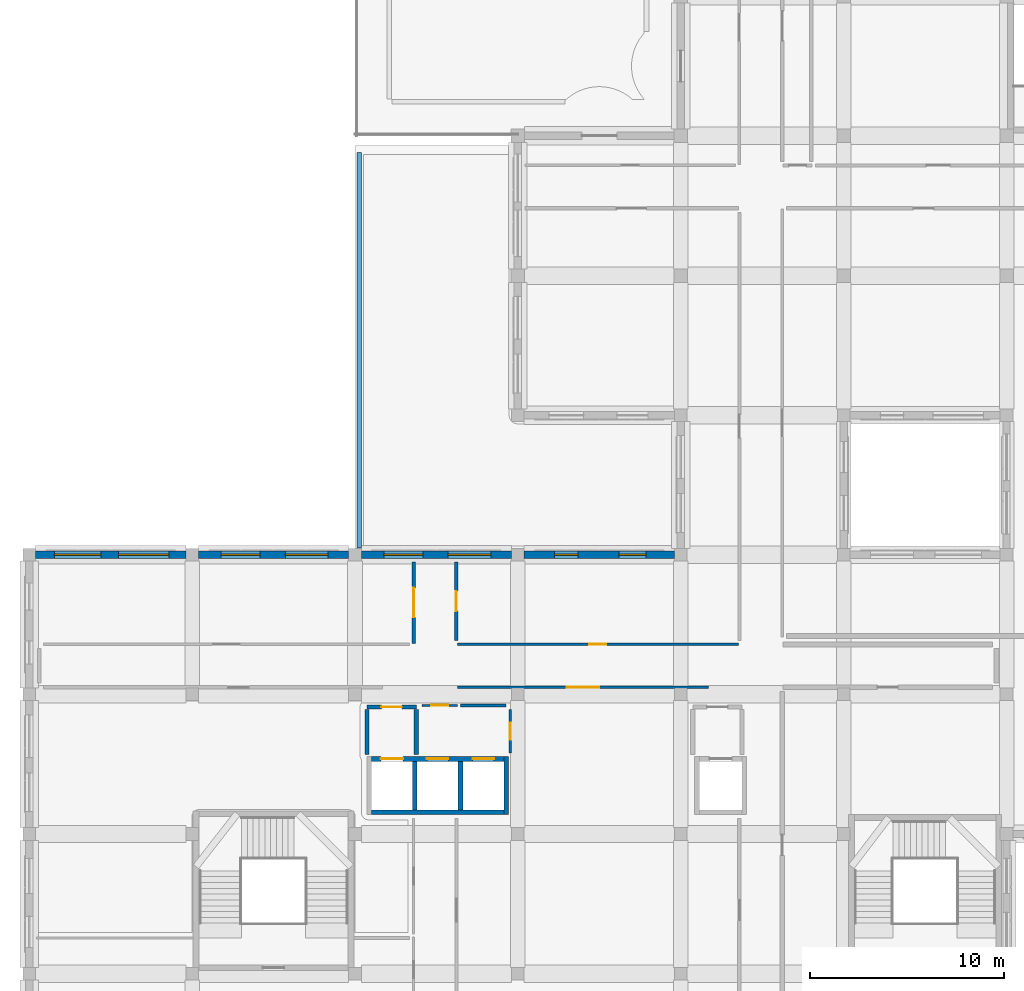
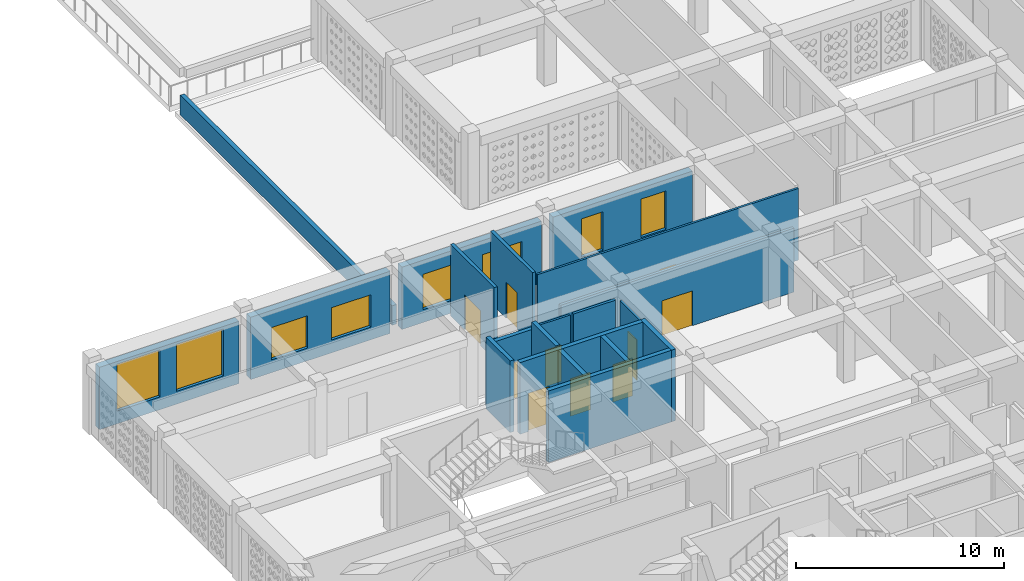
# One storey, part 8 of 47: 20 walls, 10 doors, 8 windows, 18 openings.
"""IFC4 building model written with IfcOpenShell, lengths in metres."""

from ifc_helpers import new_model, si_unit, derived_unit, direction, frame, frame_2d, origin, place, context, subcontext, project, spatial, rectangle, extrude, material, layer, layer_set, type_object, element, fill, save


model = new_model("IFC4")

# Units and contexts
model_context = context("Model", 3, precision=1e-05, world=origin(), true_north=direction((0.0, 1.0)))
body_context = subcontext(model_context, "Body", "Model", "MODEL_VIEW")
ifc_project = project(units=[si_unit("LENGTHUNIT", "METRE"), si_unit("AREAUNIT", "SQUARE_METRE"), si_unit("VOLUMEUNIT", "CUBIC_METRE"), si_unit("PLANEANGLEUNIT", "RADIAN"), si_unit("MASSUNIT", "GRAM", prefix="KILO"), derived_unit("THERMALTRANSMITTANCEUNIT", [(si_unit("POWERUNIT", "WATT"), 1), (si_unit("LENGTHUNIT", "METRE"), -2), (si_unit("THERMODYNAMICTEMPERATUREUNIT", "KELVIN"), -1)])], contexts=[model_context])

# Site, building, storey
site_placement = place(None, origin())
site = spatial("IfcSite", under=ifc_project, at=site_placement, CompositionType="ELEMENT")
building_placement = place(site_placement, origin())
building = spatial("IfcBuilding", under=site, at=building_placement, Name="Veybourne Emporium", CompositionType="ELEMENT")
storey_placement = place(building_placement, frame((0.0, 0.0, 23.39990234375)))
storey = spatial("IfcBuildingStorey", under=building, at=storey_placement, Name="L05", CompositionType="ELEMENT", Elevation=23.39990234375)

# Wall, openings, windows
ifc_material_1 = material(Name="Portland Limestone Ashlar", Category="masonry")
ifc_layer_1 = layer(ifc_material_1, 0.3798828125)
ifc_layer_set_1 = layer_set([ifc_layer_1], Name="Portland Limestone Ashlar")
wall_type_1 = type_object("IfcWallType", Name="ExtWall_EW-03", PredefinedType="SOLIDWALL", material=ifc_layer_set_1)
wall_1_placement = place(storey_placement, frame((0.324951171875, 50.39990234375, 0.0), z_axis=(0.0, 0.0, 1.0), x_axis=(1.0, 0.0, 0.0)))
wall_1 = element("IfcWall", 1, at=wall_1_placement, inside=storey, type_object=wall_type_1, Name="L05 Portland stone external wall 006", PredefinedType="SOLIDWALL", context=body_context, shape_type="SweptSolid", body=[
    extrude(rectangle(XDim=7.75, YDim=0.3798828125, at=frame_2d((3.875, 0.0))), origin(), (0.0, 0.0, 1.0), 3.66015625),
])
opening_1_placement = place(wall_1_placement, frame((0.969970703125, 0.0, 0.75)))
opening_1 = element("IfcOpeningElement", 2, at=opening_1_placement, cuts=wall_1, Name="Opening W-55", PredefinedType="OPENING", context=body_context, shape_type="SweptSolid", body=[
    extrude(rectangle(XDim=2.39990234375, YDim=2.760009765625, at=frame_2d((1.199951171875, 1.3798828125))), frame((0.0, 0.2099609375, 0.0), z_axis=(0.0, -1.0, 0.0), x_axis=(1.0, 0.0, 0.0)), (0.0, 0.0, 1.0), 0.419921875),
])
opening_2_placement = place(wall_1_placement, frame((4.280029296875, 0.0, 0.75)))
opening_2 = element("IfcOpeningElement", 3, at=opening_2_placement, cuts=wall_1, Name="Opening W-56", PredefinedType="OPENING", context=body_context, shape_type="SweptSolid", body=[
    extrude(rectangle(XDim=2.60009765625, YDim=2.760009765625, at=frame_2d((1.300048828125, 1.3798828125))), frame((0.0, 0.2099609375, 0.0), z_axis=(0.0, -1.0, 0.0), x_axis=(1.0, 0.0, 0.0)), (0.0, 0.0, 1.0), 0.419921875),
])
ifc_material_2 = material(Name="Low-E Triple Glazing", Category="glass")
window_type_1 = type_object("IfcWindowType", Name="Win_W-55", PartitioningType="TRIPLE_PANEL_VERTICAL", PredefinedType="WINDOW", material=ifc_material_2)
window_1_placement = place(opening_1_placement, origin())
window_1 = element("IfcWindow", 4, at=window_1_placement, inside=storey, type_object=window_type_1, Name="L05 tripartite bronze casement window W-55 (6.1)", OverallHeight=2.760009765625, OverallWidth=2.39990234375, PartitioningType="TRIPLE_PANEL_VERTICAL", PredefinedType="WINDOW", context=body_context, shape_type="SweptSolid", body=[
    extrude(rectangle(XDim=2.39990234375, YDim=2.760009765625, at=frame_2d((1.199951171875, 1.3798828125))), frame((0.0, 0.030029296875, 0.0), z_axis=(0.0, -1.0, 0.0), x_axis=(1.0, 0.0, 0.0)), (0.0, 0.0, 1.0), 0.06005859375),
])
fill(opening_1, window_1)
window_type_2 = type_object("IfcWindowType", Name="Win_W-56", PartitioningType="TRIPLE_PANEL_VERTICAL", PredefinedType="WINDOW", material=ifc_material_2)
window_2_placement = place(opening_2_placement, origin())
window_2 = element("IfcWindow", 5, at=window_2_placement, inside=storey, type_object=window_type_2, Name="L05 tripartite bronze casement window W-56 (6.2)", OverallHeight=2.760009765625, OverallWidth=2.60009765625, PartitioningType="TRIPLE_PANEL_VERTICAL", PredefinedType="WINDOW", context=body_context, shape_type="SweptSolid", body=[
    extrude(rectangle(XDim=2.60009765625, YDim=2.760009765625, at=frame_2d((1.300048828125, 1.3798828125))), frame((0.0, 0.030029296875, 0.0), z_axis=(0.0, -1.0, 0.0), x_axis=(1.0, 0.0, 0.0)), (0.0, 0.0, 1.0), 0.06005859375),
])
fill(opening_2, window_2)

wall_2_placement = place(storey_placement, frame((8.72509765625, 50.39990234375, 0.0), z_axis=(0.0, 0.0, 1.0), x_axis=(1.0, 0.0, 0.0)))
wall_2 = element("IfcWall", 6, at=wall_2_placement, inside=storey, type_object=wall_type_1, Name="L05 Portland stone external wall 009", PredefinedType="SOLIDWALL", context=body_context, shape_type="SweptSolid", body=[
    extrude(rectangle(XDim=7.75, YDim=0.3798828125, at=frame_2d((3.875, 0.0))), origin(), (0.0, 0.0, 1.0), 3.66015625),
])
opening_3_placement = place(wall_2_placement, frame((1.169921875, 0.0, 0.75)))
opening_3 = element("IfcOpeningElement", 7, at=opening_3_placement, cuts=wall_2, Name="Opening W-05", PredefinedType="OPENING", context=body_context, shape_type="SweptSolid", body=[
    extrude(rectangle(XDim=2.0, YDim=1.89990234375, at=frame_2d((1.0, 0.949951171875))), frame((0.0, 0.2099609375, 0.0), z_axis=(0.0, -1.0, 0.0), x_axis=(1.0, 0.0, 0.0)), (0.0, 0.0, 1.0), 0.419921875),
])
opening_4_placement = place(wall_2_placement, frame((4.47998046875, 0.0, 0.75)))
opening_4 = element("IfcOpeningElement", 8, at=opening_4_placement, cuts=wall_2, Name="Opening W-06", PredefinedType="OPENING", context=body_context, shape_type="SweptSolid", body=[
    extrude(rectangle(XDim=2.199951171875, YDim=1.89990234375, at=frame_2d((1.10009765625, 0.949951171875))), frame((0.0, 0.2099609375, 0.0), z_axis=(0.0, -1.0, 0.0), x_axis=(1.0, 0.0, 0.0)), (0.0, 0.0, 1.0), 0.419921875),
])
window_type_3 = type_object("IfcWindowType", Name="Win_W-05", PartitioningType="TRIPLE_PANEL_VERTICAL", PredefinedType="WINDOW", material=ifc_material_2)
window_3_placement = place(opening_3_placement, origin())
window_3 = element("IfcWindow", 9, at=window_3_placement, inside=storey, type_object=window_type_3, Name="L05 tripartite bronze casement window W-05 (9.1)", OverallHeight=1.89990234375, OverallWidth=2.0, PartitioningType="TRIPLE_PANEL_VERTICAL", PredefinedType="WINDOW", context=body_context, shape_type="SweptSolid", body=[
    extrude(rectangle(XDim=2.0, YDim=1.89990234375, at=frame_2d((1.0, 0.949951171875))), frame((0.0, 0.030029296875, 0.0), z_axis=(0.0, -1.0, 0.0), x_axis=(1.0, 0.0, 0.0)), (0.0, 0.0, 1.0), 0.06005859375),
])
fill(opening_3, window_3)
window_type_4 = type_object("IfcWindowType", Name="Win_W-06", PartitioningType="TRIPLE_PANEL_VERTICAL", PredefinedType="WINDOW", material=ifc_material_2)
window_4_placement = place(opening_4_placement, origin())
window_4 = element("IfcWindow", 10, at=window_4_placement, inside=storey, type_object=window_type_4, Name="L05 tripartite bronze casement window W-06 (9.2)", OverallHeight=1.89990234375, OverallWidth=2.199951171875, PartitioningType="TRIPLE_PANEL_VERTICAL", PredefinedType="WINDOW", context=body_context, shape_type="SweptSolid", body=[
    extrude(rectangle(XDim=2.199951171875, YDim=1.89990234375, at=frame_2d((1.10009765625, 0.949951171875))), frame((0.0, 0.030029296875, 0.0), z_axis=(0.0, -1.0, 0.0), x_axis=(1.0, 0.0, 0.0)), (0.0, 0.0, 1.0), 0.06005859375),
])
fill(opening_4, window_4)

wall_3_placement = place(storey_placement, frame((17.125, 50.39990234375, 0.0), z_axis=(0.0, 0.0, 1.0), x_axis=(1.0, 0.0, 0.0)))
wall_3 = element("IfcWall", 11, at=wall_3_placement, inside=storey, type_object=wall_type_1, Name="L05 Portland stone external wall 013", PredefinedType="SOLIDWALL", context=body_context, shape_type="SweptSolid", body=[
    extrude(rectangle(XDim=7.75, YDim=0.3798828125, at=frame_2d((3.875, 0.0))), origin(), (0.0, 0.0, 1.0), 3.66015625),
])
opening_5_placement = place(wall_3_placement, frame((1.169921875, 0.0, 0.75)))
opening_5 = element("IfcOpeningElement", 12, at=opening_5_placement, cuts=wall_3, Name="Opening W-13", PredefinedType="OPENING", context=body_context, shape_type="SweptSolid", body=[
    extrude(rectangle(XDim=2.0, YDim=2.080078125, at=frame_2d((1.0, 1.0400390625))), frame((0.0, 0.2099609375, 0.0), z_axis=(0.0, -1.0, 0.0), x_axis=(1.0, 0.0, 0.0)), (0.0, 0.0, 1.0), 0.419921875),
])
opening_6_placement = place(wall_3_placement, frame((4.47998046875, 0.0, 0.75)))
opening_6 = element("IfcOpeningElement", 13, at=opening_6_placement, cuts=wall_3, Name="Opening W-14", PredefinedType="OPENING", context=body_context, shape_type="SweptSolid", body=[
    extrude(rectangle(XDim=2.199951171875, YDim=2.080078125, at=frame_2d((1.10009765625, 1.0400390625))), frame((0.0, 0.2099609375, 0.0), z_axis=(0.0, -1.0, 0.0), x_axis=(1.0, 0.0, 0.0)), (0.0, 0.0, 1.0), 0.419921875),
])
window_type_5 = type_object("IfcWindowType", Name="Win_W-13", PartitioningType="TRIPLE_PANEL_VERTICAL", PredefinedType="WINDOW", material=ifc_material_2)
window_5_placement = place(opening_5_placement, origin())
window_5 = element("IfcWindow", 14, at=window_5_placement, inside=storey, type_object=window_type_5, Name="L05 tripartite bronze casement window W-13 (13.1)", OverallHeight=2.080078125, OverallWidth=2.0, PartitioningType="TRIPLE_PANEL_VERTICAL", PredefinedType="WINDOW", context=body_context, shape_type="SweptSolid", body=[
    extrude(rectangle(XDim=2.0, YDim=2.080078125, at=frame_2d((1.0, 1.0400390625))), frame((0.0, 0.030029296875, 0.0), z_axis=(0.0, -1.0, 0.0), x_axis=(1.0, 0.0, 0.0)), (0.0, 0.0, 1.0), 0.06005859375),
])
fill(opening_5, window_5)
window_type_6 = type_object("IfcWindowType", Name="Win_W-14", PartitioningType="TRIPLE_PANEL_VERTICAL", PredefinedType="WINDOW", material=ifc_material_2)
window_6_placement = place(opening_6_placement, origin())
window_6 = element("IfcWindow", 15, at=window_6_placement, inside=storey, type_object=window_type_6, Name="L05 tripartite bronze casement window W-14 (13.2)", OverallHeight=2.080078125, OverallWidth=2.199951171875, PartitioningType="TRIPLE_PANEL_VERTICAL", PredefinedType="WINDOW", context=body_context, shape_type="SweptSolid", body=[
    extrude(rectangle(XDim=2.199951171875, YDim=2.080078125, at=frame_2d((1.10009765625, 1.0400390625))), frame((0.0, 0.030029296875, 0.0), z_axis=(0.0, -1.0, 0.0), x_axis=(1.0, 0.0, 0.0)), (0.0, 0.0, 1.0), 0.06005859375),
])
fill(opening_6, window_6)

wall_4_placement = place(storey_placement, frame((25.52490234375, 50.39990234375, 0.0), z_axis=(0.0, 0.0, 1.0), x_axis=(1.0, 0.0, 0.0)))
wall_4 = element("IfcWall", 16, at=wall_4_placement, inside=storey, type_object=wall_type_1, Name="L05 Portland stone external wall 015", PredefinedType="SOLIDWALL", context=body_context, shape_type="SweptSolid", body=[
    extrude(rectangle(XDim=7.75, YDim=0.3798828125, at=frame_2d((3.875, 0.0))), origin(), (0.0, 0.0, 1.0), 3.66015625),
])
opening_7_placement = place(wall_4_placement, frame((1.570068359375, 0.0, 0.75)))
opening_7 = element("IfcOpeningElement", 17, at=opening_7_placement, cuts=wall_4, Name="Opening W-17", PredefinedType="OPENING", context=body_context, shape_type="SweptSolid", body=[
    extrude(rectangle(XDim=1.199951171875, YDim=2.260009765625, at=frame_2d((0.60009765625, 1.1298828125))), frame((0.0, 0.2099609375, 0.0), z_axis=(0.0, -1.0, 0.0), x_axis=(1.0, 0.0, 0.0)), (0.0, 0.0, 1.0), 0.419921875),
])
opening_8_placement = place(wall_4_placement, frame((4.8798828125, 0.0, 0.75)))
opening_8 = element("IfcOpeningElement", 18, at=opening_8_placement, cuts=wall_4, Name="Opening W-18", PredefinedType="OPENING", context=body_context, shape_type="SweptSolid", body=[
    extrude(rectangle(XDim=1.39990234375, YDim=2.260009765625, at=frame_2d((0.699951171875, 1.1298828125))), frame((0.0, 0.2099609375, 0.0), z_axis=(0.0, -1.0, 0.0), x_axis=(1.0, 0.0, 0.0)), (0.0, 0.0, 1.0), 0.419921875),
])
window_type_7 = type_object("IfcWindowType", Name="Win_W-17", PartitioningType="SINGLE_PANEL", PredefinedType="WINDOW", material=ifc_material_2)
window_7_placement = place(opening_7_placement, origin())
window_7 = element("IfcWindow", 19, at=window_7_placement, inside=storey, type_object=window_type_7, Name="L05 tripartite bronze casement window W-17 (15.1)", OverallHeight=2.260009765625, OverallWidth=1.199951171875, PartitioningType="SINGLE_PANEL", PredefinedType="WINDOW", context=body_context, shape_type="SweptSolid", body=[
    extrude(rectangle(XDim=1.199951171875, YDim=2.260009765625, at=frame_2d((0.60009765625, 1.1298828125))), frame((0.0, 0.030029296875, 0.0), z_axis=(0.0, -1.0, 0.0), x_axis=(1.0, 0.0, 0.0)), (0.0, 0.0, 1.0), 0.06005859375),
])
fill(opening_7, window_7)
window_type_8 = type_object("IfcWindowType", Name="Win_W-18", PartitioningType="DOUBLE_PANEL_VERTICAL", PredefinedType="WINDOW", material=ifc_material_2)
window_8_placement = place(opening_8_placement, origin())
window_8 = element("IfcWindow", 20, at=window_8_placement, inside=storey, type_object=window_type_8, Name="L05 tripartite bronze casement window W-18 (15.2)", OverallHeight=2.260009765625, OverallWidth=1.39990234375, PartitioningType="DOUBLE_PANEL_VERTICAL", PredefinedType="WINDOW", context=body_context, shape_type="SweptSolid", body=[
    extrude(rectangle(XDim=1.39990234375, YDim=2.260009765625, at=frame_2d((0.699951171875, 1.1298828125))), frame((0.0, 0.030029296875, 0.0), z_axis=(0.0, -1.0, 0.0), x_axis=(1.0, 0.0, 0.0)), (0.0, 0.0, 1.0), 0.06005859375),
])
fill(opening_8, window_8)

# Wall
ifc_material_3 = material(Name="Precast concrete C40/50", Category="concrete")
ifc_layer_2 = layer(ifc_material_3, 0.239990234375)
ifc_layer_set_2 = layer_set([ifc_layer_2], Name="Precast concrete C40/50")
wall_type_2 = type_object("IfcWallType", Name="ExtWall_PW-02", PredefinedType="PARAPET", material=ifc_layer_set_2)
wall_5_placement = place(storey_placement, frame((17.02001953125, 50.75, 0.0), z_axis=(0.0, 0.0, 1.0), x_axis=(0.0, 1.0, 0.0)))
element("IfcWall", 21, at=wall_5_placement, inside=storey, type_object=wall_type_2, Name="L05 roof parapet wall 001", PredefinedType="PARAPET", context=body_context, shape_type="SweptSolid", body=[
    extrude(rectangle(XDim=20.39990234375, YDim=0.239990234375, at=frame_2d((10.199951171875, 0.0))), origin(), (0.0, 0.0, 1.0), 1.150146484375),
])

# Wall, openings, doors
ifc_material_4 = material(Name="Concrete C40/50", Category="concrete")
ifc_layer_3 = layer(ifc_material_4, 0.239990234375)
ifc_layer_set_3 = layer_set([ifc_layer_3], Name="Concrete C40/50")
wall_type_3 = type_object("IfcWallType", Name="IntWall_CW-04", PredefinedType="SHEAR", material=ifc_layer_set_3)
wall_6_placement = place(storey_placement, frame((24.47998046875, 39.8701171875, 0.0), z_axis=(0.0, 0.0, 1.0), x_axis=(-1.0, 0.0, 0.0)))
wall_6 = element("IfcWall", 22, at=wall_6_placement, inside=storey, type_object=wall_type_3, Name="Lift core C2 north shaft wall (L05)", PredefinedType="SHEAR", context=body_context, shape_type="SweptSolid", body=[
    extrude(rectangle(XDim=6.820068359375, YDim=0.239990234375, at=frame_2d((3.41015625, 0.0))), origin(), (0.0, 0.0, 1.0), 4.210205078125),
])
opening_9_placement = place(wall_6_placement, frame((5.195068359375, 0.0, 0.0)))
opening_9 = element("IfcOpeningElement", 23, at=opening_9_placement, cuts=wall_6, Name="Opening LD-02", PredefinedType="OPENING", context=body_context, shape_type="SweptSolid", body=[
    extrude(rectangle(XDim=1.14990234375, YDim=2.25, at=frame_2d((0.574951171875, 1.125))), frame((0.0, 0.14013671875, 0.0), z_axis=(0.0, -1.0, 0.0), x_axis=(1.0, 0.0, 0.0)), (0.0, 0.0, 1.0), 0.280029296875),
])
opening_10_placement = place(wall_6_placement, frame((2.8701171875, 0.0, 0.0)))
opening_10 = element("IfcOpeningElement", 24, at=opening_10_placement, cuts=wall_6, Name="Opening LD-01", PredefinedType="OPENING", context=body_context, shape_type="SweptSolid", body=[
    extrude(rectangle(XDim=1.10009765625, YDim=2.199951171875, at=frame_2d((0.550048828125, 1.10009765625))), frame((0.0, 0.14013671875, 0.0), z_axis=(0.0, -1.0, 0.0), x_axis=(1.0, 0.0, 0.0)), (0.0, 0.0, 1.0), 0.280029296875),
])
opening_11_placement = place(wall_6_placement, frame((0.510009765625, 0.0, 0.0)))
opening_11 = element("IfcOpeningElement", 25, at=opening_11_placement, cuts=wall_6, Name="Opening LD-01", PredefinedType="OPENING", context=body_context, shape_type="SweptSolid", body=[
    extrude(rectangle(XDim=1.10009765625, YDim=2.199951171875, at=frame_2d((0.550048828125, 1.10009765625))), frame((0.0, 0.14013671875, 0.0), z_axis=(0.0, -1.0, 0.0), x_axis=(1.0, 0.0, 0.0)), (0.0, 0.0, 1.0), 0.280029296875),
])
ifc_material_5 = material(Name="Patinated Architectural Bronze", Category="bronze")
door_type_1 = type_object("IfcDoorType", Name="FireDoor_LD-01", OperationType="DOUBLE_DOOR_SLIDING", PredefinedType="DOOR", material=ifc_material_5)
door_1_placement = place(opening_10_placement, origin())
door_1 = element("IfcDoor", 26, at=door_1_placement, inside=storey, type_object=door_type_1, Name="Lift PL-03 sliding landing door (L05)", OperationType="DOUBLE_DOOR_SLIDING", OverallHeight=2.199951171875, OverallWidth=1.10009765625, PredefinedType="DOOR", context=body_context, shape_type="SweptSolid", body=[
    extrude(rectangle(XDim=1.10009765625, YDim=2.199951171875, at=frame_2d((0.550048828125, 1.10009765625))), frame((0.0, 0.02490234375, 0.0), z_axis=(0.0, -1.0, 0.0), x_axis=(1.0, 0.0, 0.0)), (0.0, 0.0, 1.0), 0.050048828125),
])
fill(opening_10, door_1)
door_2_placement = place(opening_11_placement, origin())
door_2 = element("IfcDoor", 27, at=door_2_placement, inside=storey, type_object=door_type_1, Name="Lift PL-04 sliding landing door (L05)", OperationType="DOUBLE_DOOR_SLIDING", OverallHeight=2.199951171875, OverallWidth=1.10009765625, PredefinedType="DOOR", context=body_context, shape_type="SweptSolid", body=[
    extrude(rectangle(XDim=1.10009765625, YDim=2.199951171875, at=frame_2d((0.550048828125, 1.10009765625))), frame((0.0, 0.02490234375, 0.0), z_axis=(0.0, -1.0, 0.0), x_axis=(1.0, 0.0, 0.0)), (0.0, 0.0, 1.0), 0.050048828125),
])
fill(opening_11, door_2)
door_type_2 = type_object("IfcDoorType", Name="FireDoor_LD-02", OperationType="SLIDING_TO_LEFT", PredefinedType="DOOR", material=ifc_material_5)
door_3_placement = place(opening_9_placement, origin())
door_3 = element("IfcDoor", 28, at=door_3_placement, inside=storey, type_object=door_type_2, Name="Lift FFL-02 sliding landing door (L05)", OperationType="SLIDING_TO_LEFT", OverallHeight=2.25, OverallWidth=1.14990234375, PredefinedType="DOOR", context=body_context, shape_type="SweptSolid", body=[
    extrude(rectangle(XDim=1.14990234375, YDim=2.25, at=frame_2d((0.574951171875, 1.125))), frame((0.0, 0.02490234375, 0.0), z_axis=(0.0, -1.0, 0.0), x_axis=(1.0, 0.0, 0.0)), (0.0, 0.0, 1.0), 0.050048828125),
])
fill(opening_9, door_3)

# Walls
wall_7_placement = place(storey_placement, frame((17.659912109375, 37.1298828125, 0.0), z_axis=(0.0, 0.0, 1.0), x_axis=(1.0, 0.0, 0.0)))
element("IfcWall", 29, at=wall_7_placement, inside=storey, type_object=wall_type_3, Name="Lift core C2 south shaft wall (L05)", PredefinedType="SHEAR", context=body_context, shape_type="SweptSolid", body=[
    extrude(rectangle(XDim=6.820068359375, YDim=0.239990234375, at=frame_2d((3.41015625, 0.0))), origin(), (0.0, 0.0, 1.0), 4.210205078125),
])
wall_8_placement = place(storey_placement, frame((24.60009765625, 37.010009765625, 0.0), z_axis=(0.0, 0.0, 1.0), x_axis=(0.0, 1.0, 0.0)))
element("IfcWall", 30, at=wall_8_placement, inside=storey, type_object=wall_type_3, Name="Lift core C2 east shaft wall (L05)", PredefinedType="SHEAR", context=body_context, shape_type="SweptSolid", body=[
    extrude(rectangle(XDim=2.97998046875, YDim=0.239990234375, at=frame_2d((1.489990234375, 0.0))), origin(), (0.0, 0.0, 1.0), 4.210205078125),
])
for number, where, z_axis, x_axis, name in (
    (31, (19.8798828125, 37.25, 0.0), (0.0, 0.0, 1.0), (0.0, 1.0, 0.0), "Lift core C2 divider wall 1 (L05)"),
    (32, (22.239990234375, 37.25, 0.0), (0.0, 0.0, 1.0), (0.0, 1.0, 0.0), "Lift core C2 divider wall 2 (L05)"),
):
    element("IfcWall", number, at=place(storey_placement, frame(where, z_axis=z_axis, x_axis=x_axis)), inside=storey, type_object=wall_type_3, Name=name, PredefinedType="SHEAR", context=body_context, shape_type="SweptSolid", body=[
        extrude(rectangle(XDim=2.5, YDim=0.239990234375, at=frame_2d((1.25, 0.0))), origin(), (0.0, 0.0, 1.0), 4.210205078125),
    ])

# Wall, opening, door
ifc_material_6 = material(Name="Concrete C32/40", Category="concrete")
ifc_layer_4 = layer(ifc_material_6, 0.219970703125)
ifc_layer_set_4 = layer_set([ifc_layer_4], Name="Concrete C32/40")
wall_type_4 = type_object("IfcWallType", Name="IntWall_FW-02", PredefinedType="SOLIDWALL", material=ifc_layer_set_4)
wall_9_placement = place(storey_placement, frame((17.419921875, 42.550048828125, 0.0), z_axis=(0.0, 0.0, 1.0), x_axis=(1.0, 0.0, 0.0)))
wall_9 = element("IfcWall", 33, at=wall_9_placement, inside=storey, type_object=wall_type_4, Name="Firefighting lobby C2 fire wall N (L05)", PredefinedType="SOLIDWALL", context=body_context, shape_type="SweptSolid", body=[
    extrude(rectangle(XDim=2.5400390625, YDim=0.219970703125, at=frame_2d((1.27001953125, 0.0))), origin(), (0.0, 0.0, 1.0), 3.760009765625),
])
opening_12_placement = place(wall_9_placement, frame((0.7451171875, 0.0, 0.0)))
opening_12 = element("IfcOpeningElement", 34, at=opening_12_placement, cuts=wall_9, Name="Opening FD-02", PredefinedType="OPENING", context=body_context, shape_type="SweptSolid", body=[
    extrude(rectangle(XDim=1.050048828125, YDim=2.14990234375, at=frame_2d((0.52490234375, 1.074951171875))), frame((0.0, 0.1298828125, 0.0), z_axis=(0.0, -1.0, 0.0), x_axis=(1.0, 0.0, 0.0)), (0.0, 0.0, 1.0), 0.260009765625),
])
door_type_3 = type_object("IfcDoorType", Name="FireDoor_FD-02", OperationType="NOTDEFINED", PredefinedType="DOOR", material=ifc_material_5)
door_4_placement = place(opening_12_placement, origin())
door_4 = element("IfcDoor", 35, at=door_4_placement, inside=storey, type_object=door_type_3, Name="Firefighting lobby C2 FD60S door N (L05)", OperationType="SINGLE_SWING_LEFT", OverallHeight=2.14990234375, OverallWidth=1.050048828125, PredefinedType="DOOR", context=body_context, shape_type="SweptSolid", body=[
    extrude(rectangle(XDim=1.050048828125, YDim=2.14990234375, at=frame_2d((0.52490234375, 1.074951171875))), frame((0.0, 0.02490234375, 0.0), z_axis=(0.0, -1.0, 0.0), x_axis=(1.0, 0.0, 0.0)), (0.0, 0.0, 1.0), 0.050048828125),
])
fill(opening_12, door_4)

# Walls
for number, where, z_axis, x_axis, name in (
    (36, (17.419921875, 40.110107421875, 0.0), (0.0, 0.0, 1.0), (0.0, 1.0, 0.0), "Firefighting lobby C2 fire wall W (L05)"),
    (37, (19.9599609375, 40.110107421875, 0.0), (0.0, 0.0, 1.0), (0.0, 1.0, 0.0), "Firefighting lobby C2 fire wall E (L05)"),
):
    element("IfcWall", number, at=place(storey_placement, frame(where, z_axis=z_axis, x_axis=x_axis)), inside=storey, type_object=wall_type_4, Name=name, PredefinedType="SOLIDWALL", context=body_context, shape_type="SweptSolid", body=[
        extrude(rectangle(XDim=2.31982421875, YDim=0.219970703125, at=frame_2d((1.159912109375, 0.0))), origin(), (0.0, 0.0, 1.0), 4.210205078125),
    ])

# Wall, opening, door
ifc_material_7 = material(Name="Gypsum Acoustic Board", Category="gypsum")
ifc_layer_5 = layer(ifc_material_7, 0.179931640625)
ifc_layer_set_5 = layer_set([ifc_layer_5], Name="Gypsum Acoustic Board")
wall_type_5 = type_object("IfcWallType", Name="IntWall_IW-01", PredefinedType="PARTITIONING", material=ifc_layer_set_5)
wall_10_placement = place(storey_placement, frame((19.820068359375, 45.830078125, 0.0), z_axis=(0.0, 0.0, 1.0), x_axis=(0.0, 1.0, 0.0)))
wall_10 = element("IfcWall", 38, at=wall_10_placement, inside=storey, type_object=wall_type_5, Name="L05 interior partition IW-01 #051", PredefinedType="PARTITIONING", context=body_context, shape_type="SweptSolid", body=[
    extrude(rectangle(XDim=4.199951171875, YDim=0.179931640625, at=frame_2d((2.10009765625, 0.0))), origin(), (0.0, 0.0, 1.0), 4.210205078125),
])
opening_13_placement = place(wall_10_placement, frame((1.340087890625, 0.0, 0.0)))
opening_13 = element("IfcOpeningElement", 39, at=opening_13_placement, cuts=wall_10, Name="Opening D-05", PredefinedType="OPENING", context=body_context, shape_type="SweptSolid", body=[
    extrude(rectangle(XDim=1.52001953125, YDim=2.050048828125, at=frame_2d((0.760009765625, 1.02490234375))), frame((0.0, 0.10986328125, 0.0), z_axis=(0.0, -1.0, 0.0), x_axis=(1.0, 0.0, 0.0)), (0.0, 0.0, 1.0), 0.219970703125),
])
ifc_material_8 = material(Name="European Oak Veneer and Bronze", Category="wood")
door_type_4 = type_object("IfcDoorType", Name="IntDoor_D-05", OperationType="NOTDEFINED", PredefinedType="DOOR", material=ifc_material_8)
door_5_placement = place(opening_13_placement, origin())
door_5 = element("IfcDoor", 40, at=door_5_placement, inside=storey, type_object=door_type_4, Name="L05 interior door D-05 (PART-L05-051)", OperationType="SINGLE_SWING_LEFT", OverallHeight=2.050048828125, OverallWidth=1.52001953125, PredefinedType="DOOR", context=body_context, shape_type="SweptSolid", body=[
    extrude(rectangle(XDim=1.52001953125, YDim=2.050048828125, at=frame_2d((0.760009765625, 1.02490234375))), frame((0.0, 0.02490234375, 0.0), z_axis=(0.0, -1.0, 0.0), x_axis=(1.0, 0.0, 0.0)), (0.0, 0.0, 1.0), 0.050048828125),
])
fill(opening_13, door_5)

wall_11_placement = place(storey_placement, frame((22.030029296875, 45.989990234375, 0.0), z_axis=(0.0, 0.0, 1.0), x_axis=(0.0, 1.0, 0.0)))
wall_11 = element("IfcWall", 41, at=wall_11_placement, inside=storey, type_object=wall_type_5, Name="L05 interior partition IW-01 #054", PredefinedType="PARTITIONING", context=body_context, shape_type="SweptSolid", body=[
    extrude(rectangle(XDim=4.0400390625, YDim=0.179931640625, at=frame_2d((2.02001953125, 0.0))), origin(), (0.0, 0.0, 1.0), 4.210205078125),
])
opening_14_placement = place(wall_11_placement, frame((1.5, 0.0, 0.0)))
opening_14 = element("IfcOpeningElement", 42, at=opening_14_placement, cuts=wall_11, Name="Opening D-08", PredefinedType="OPENING", context=body_context, shape_type="SweptSolid", body=[
    extrude(rectangle(XDim=1.0400390625, YDim=2.1298828125, at=frame_2d((0.52001953125, 1.06494140625))), frame((0.0, 0.10986328125, 0.0), z_axis=(0.0, -1.0, 0.0), x_axis=(1.0, 0.0, 0.0)), (0.0, 0.0, 1.0), 0.219970703125),
])
door_type_5 = type_object("IfcDoorType", Name="IntDoor_D-08", OperationType="NOTDEFINED", PredefinedType="DOOR", material=ifc_material_8)
door_6_placement = place(opening_14_placement, origin())
door_6 = element("IfcDoor", 43, at=door_6_placement, inside=storey, type_object=door_type_5, Name="L05 interior door D-08 (PART-L05-054)", OperationType="SINGLE_SWING_LEFT", OverallHeight=2.1298828125, OverallWidth=1.0400390625, PredefinedType="DOOR", context=body_context, shape_type="SweptSolid", body=[
    extrude(rectangle(XDim=1.0400390625, YDim=2.1298828125, at=frame_2d((0.52001953125, 1.06494140625))), frame((0.0, 0.02490234375, 0.0), z_axis=(0.0, -1.0, 0.0), x_axis=(1.0, 0.0, 0.0)), (0.0, 0.0, 1.0), 0.050048828125),
])
fill(opening_14, door_6)

ifc_layer_6 = layer(ifc_material_7, 0.14990234375)
ifc_layer_set_6 = layer_set([ifc_layer_6], Name="Gypsum Acoustic Board")
wall_type_6 = type_object("IfcWallType", Name="IntWall_IW-02", PredefinedType="PARTITIONING", material=ifc_layer_set_6)
wall_12_placement = place(storey_placement, frame((22.080078125, 43.570068359375, 0.0), z_axis=(0.0, 0.0, 1.0), x_axis=(1.0, 0.0, 0.0)))
wall_12 = element("IfcWall", 44, at=wall_12_placement, inside=storey, type_object=wall_type_6, Name="L05 interior partition IW-02 #016", PredefinedType="PARTITIONING", context=body_context, shape_type="SweptSolid", body=[
    extrude(rectangle(XDim=12.9501953125, YDim=0.14990234375, at=frame_2d((6.47509765625, 0.0))), origin(), (0.0, 0.0, 1.0), 3.760009765625),
])
opening_15_placement = place(wall_12_placement, frame((5.635009765625, 0.0, 0.0)))
opening_15 = element("IfcOpeningElement", 45, at=opening_15_placement, cuts=wall_12, Name="Opening D-06", PredefinedType="OPENING", context=body_context, shape_type="SweptSolid", body=[
    extrude(rectangle(XDim=1.679931640625, YDim=2.050048828125, at=frame_2d((0.83984375, 1.02490234375))), frame((0.0, 0.094970703125, 0.0), z_axis=(0.0, -1.0, 0.0), x_axis=(1.0, 0.0, 0.0)), (0.0, 0.0, 1.0), 0.18994140625),
])
door_type_6 = type_object("IfcDoorType", Name="IntDoor_D-06", OperationType="DOUBLE_DOOR_SINGLE_SWING", PredefinedType="DOOR", material=ifc_material_8)
door_7_placement = place(opening_15_placement, origin())
door_7 = element("IfcDoor", 46, at=door_7_placement, inside=storey, type_object=door_type_6, Name="L05 interior door D-06 (PART-L05-016)", OperationType="DOUBLE_DOOR_SINGLE_SWING", OverallHeight=2.050048828125, OverallWidth=1.679931640625, PredefinedType="DOOR", context=body_context, shape_type="SweptSolid", body=[
    extrude(rectangle(XDim=1.679931640625, YDim=2.050048828125, at=frame_2d((0.83984375, 1.02490234375))), frame((0.0, 0.02490234375, 0.0), z_axis=(0.0, -1.0, 0.0), x_axis=(1.0, 0.0, 0.0)), (0.0, 0.0, 1.0), 0.050048828125),
])
fill(opening_15, door_7)

# Wall
wall_13_placement = place(storey_placement, frame((22.239990234375, 42.6298828125, 0.0), z_axis=(0.0, 0.0, 1.0), x_axis=(1.0, 0.0, 0.0)))
element("IfcWall", 47, at=wall_13_placement, inside=storey, type_object=wall_type_6, Name="L05 interior partition IW-02 #070", PredefinedType="PARTITIONING", context=body_context, shape_type="SweptSolid", body=[
    extrude(rectangle(XDim=2.35009765625, YDim=0.14990234375, at=frame_2d((1.175048828125, 0.0))), origin(), (0.0, 0.0, 1.0), 3.760009765625),
])

# Wall, opening, door
ifc_layer_7 = layer(ifc_material_7, 0.1201171875)
ifc_layer_set_7 = layer_set([ifc_layer_7], Name="Gypsum Acoustic Board")
wall_type_7 = type_object("IfcWallType", Name="IntWall_IW-03", PredefinedType="PARTITIONING", material=ifc_layer_set_7)
wall_14_placement = place(storey_placement, frame((22.080078125, 45.780029296875, 0.0), z_axis=(0.0, 0.0, 1.0), x_axis=(1.0, 0.0, 0.0)))
wall_14 = element("IfcWall", 48, at=wall_14_placement, inside=storey, type_object=wall_type_7, Name="L05 interior partition IW-03 #017", PredefinedType="PARTITIONING", context=body_context, shape_type="SweptSolid", body=[
    extrude(rectangle(XDim=14.489990234375, YDim=0.1201171875, at=frame_2d((7.2451171875, 0.0))), origin(), (0.0, 0.0, 1.0), 4.210205078125),
])
opening_16_placement = place(wall_14_placement, frame((6.804931640625, 0.0, 0.0)))
opening_16 = element("IfcOpeningElement", 49, at=opening_16_placement, cuts=wall_14, Name="Opening D-07", PredefinedType="OPENING", context=body_context, shape_type="SweptSolid", body=[
    extrude(rectangle(XDim=0.8798828125, YDim=2.1298828125, at=frame_2d((0.43994140625, 1.06494140625))), frame((0.0, 0.080078125, 0.0), z_axis=(0.0, -1.0, 0.0), x_axis=(1.0, 0.0, 0.0)), (0.0, 0.0, 1.0), 0.16015625),
])
door_type_7 = type_object("IfcDoorType", Name="IntDoor_D-07", OperationType="NOTDEFINED", PredefinedType="DOOR", material=ifc_material_8)
door_8_placement = place(opening_16_placement, origin())
door_8 = element("IfcDoor", 50, at=door_8_placement, inside=storey, type_object=door_type_7, Name="L05 interior door D-07 (PART-L05-017)", OperationType="SINGLE_SWING_RIGHT", OverallHeight=2.1298828125, OverallWidth=0.8798828125, PredefinedType="DOOR", context=body_context, shape_type="SweptSolid", body=[
    extrude(rectangle(XDim=0.8798828125, YDim=2.1298828125, at=frame_2d((0.43994140625, 1.06494140625))), frame((0.0, 0.02490234375, 0.0), z_axis=(0.0, -1.0, 0.0), x_axis=(1.0, 0.0, 0.0)), (0.0, 0.0, 1.0), 0.050048828125),
])
fill(opening_16, door_8)

wall_15_placement = place(storey_placement, frame((24.800048828125, 40.177978515625, 0.0), z_axis=(0.0, 0.0, 1.0), x_axis=(0.0, 1.0, 0.0)))
wall_15 = element("IfcWall", 51, at=wall_15_placement, inside=storey, type_object=wall_type_7, Name="L05 interior partition IW-03 #071", PredefinedType="PARTITIONING", context=body_context, shape_type="SweptSolid", body=[
    extrude(rectangle(XDim=2.241943359375, YDim=0.1201171875, at=frame_2d((1.12109375, 0.0))), origin(), (0.0, 0.0, 1.0), 3.760009765625),
])
opening_17_placement = place(wall_15_placement, frame((0.680908203125, 0.0, 0.0)))
opening_17 = element("IfcOpeningElement", 52, at=opening_17_placement, cuts=wall_15, Name="Opening D-25", PredefinedType="OPENING", context=body_context, shape_type="SweptSolid", body=[
    extrude(rectangle(XDim=0.8798828125, YDim=2.3701171875, at=frame_2d((0.43994140625, 1.18505859375))), frame((0.0, 0.080078125, 0.0), z_axis=(0.0, -1.0, 0.0), x_axis=(1.0, 0.0, 0.0)), (0.0, 0.0, 1.0), 0.16015625),
])
door_type_8 = type_object("IfcDoorType", Name="IntDoor_D-25", OperationType="NOTDEFINED", PredefinedType="DOOR", material=ifc_material_8)
door_9_placement = place(opening_17_placement, origin())
door_9 = element("IfcDoor", 53, at=door_9_placement, inside=storey, type_object=door_type_8, Name="L05 interior door D-25 (PART-L05-071)", OperationType="SINGLE_SWING_RIGHT", OverallHeight=2.3701171875, OverallWidth=0.8798828125, PredefinedType="DOOR", context=body_context, shape_type="SweptSolid", body=[
    extrude(rectangle(XDim=0.8798828125, YDim=2.3701171875, at=frame_2d((0.43994140625, 1.18505859375))), frame((0.0, 0.02490234375, 0.0), z_axis=(0.0, -1.0, 0.0), x_axis=(1.0, 0.0, 0.0)), (0.0, 0.0, 1.0), 0.050048828125),
])
fill(opening_17, door_9)

wall_16_placement = place(storey_placement, frame((20.25, 42.6298828125, 0.0), z_axis=(0.0, 0.0, 1.0), x_axis=(1.0, 0.0, 0.0)))
wall_16 = element("IfcWall", 54, at=wall_16_placement, inside=storey, type_object=wall_type_7, Name="L05 interior partition IW-03 #089", PredefinedType="PARTITIONING", context=body_context, shape_type="SweptSolid", body=[
    extrude(rectangle(XDim=1.830078125, YDim=0.1201171875, at=frame_2d((0.9150390625, 0.0))), origin(), (0.0, 0.0, 1.0), 3.760009765625),
])
opening_18_placement = place(wall_16_placement, frame((0.47509765625, 0.0, 0.0)))
opening_18 = element("IfcOpeningElement", 55, at=opening_18_placement, cuts=wall_16, Name="Opening D-07", PredefinedType="OPENING", context=body_context, shape_type="SweptSolid", body=[
    extrude(rectangle(XDim=0.8798828125, YDim=2.1298828125, at=frame_2d((0.43994140625, 1.06494140625))), frame((0.0, 0.080078125, 0.0), z_axis=(0.0, -1.0, 0.0), x_axis=(1.0, 0.0, 0.0)), (0.0, 0.0, 1.0), 0.16015625),
])
door_10_placement = place(opening_18_placement, origin())
door_10 = element("IfcDoor", 56, at=door_10_placement, inside=storey, type_object=door_type_7, Name="L05 interior door D-07 (PART-L05-089)", OperationType="SINGLE_SWING_RIGHT", OverallHeight=2.1298828125, OverallWidth=0.8798828125, PredefinedType="DOOR", context=body_context, shape_type="SweptSolid", body=[
    extrude(rectangle(XDim=0.8798828125, YDim=2.1298828125, at=frame_2d((0.43994140625, 1.06494140625))), frame((0.0, 0.02490234375, 0.0), z_axis=(0.0, -1.0, 0.0), x_axis=(1.0, 0.0, 0.0)), (0.0, 0.0, 1.0), 0.050048828125),
])
fill(opening_18, door_10)

save(model, "model.ifc")
